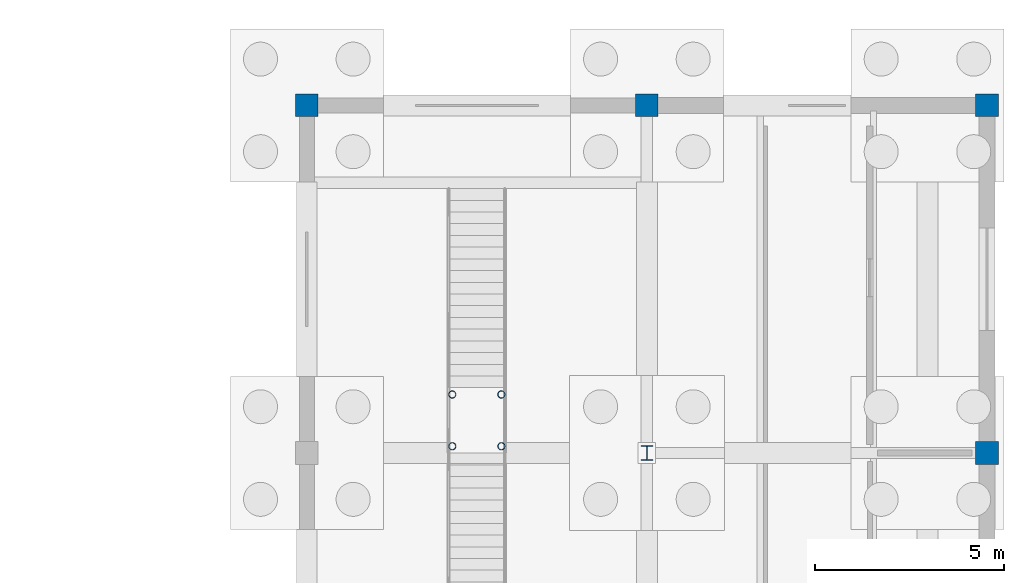
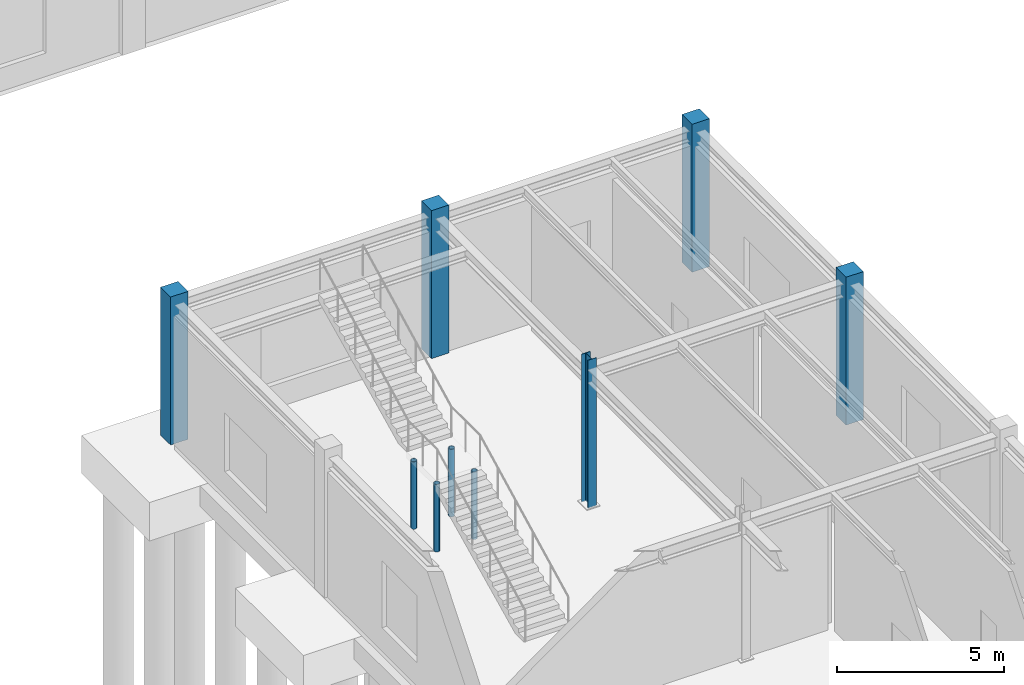
# One storey, part 25 of 76: 9 columns.
"""IFC4 building model written with IfcOpenShell, lengths in metres."""

import ifcopenshell
import ifcopenshell.guid

model = None  # the IFC model being written
_history = None  # IfcOwnerHistory: only IFC2X3 demands one
_inside = {}  # id of a spatial element -> (the spatial element, [elements in it])
_under = {}  # id of a project, library or spatial element -> (it, [spatial elements below it])
_declared = {}  # id of a project -> (the project, [libraries it declares])
_typed = {}  # id of a type object -> (the type object, [elements of that type])
_made_of = {}  # id of a material, layer set ... -> (it, [elements and type objects made of it])


def new_model(schema):
    """Start an empty IFC model of exactly this schema.

    Asked for "IFC4X3", IfcOpenShell would pick the latest addendum, in which some entities
    have other attributes; the version numbers below select the first issue.
    IFC2X3 requires an IfcOwnerHistory on every rooted entity: one is made here for all.
    """
    global model, _history
    if schema == "IFC4X3":
        model = ifcopenshell.file(schema_version=(4, 3, 0, 0))
    else:
        model = ifcopenshell.file(schema=schema)
    _inside.clear()
    _under.clear()
    _declared.clear()
    _typed.clear()
    _made_of.clear()
    _history = None
    if model.schema == "IFC2X3":
        org = make("IfcOrganization", Name="unknown")
        user = make(
            "IfcPersonAndOrganization",
            ThePerson=make("IfcPerson", FamilyName="unknown"),
            TheOrganization=org,
        )
        app = make(
            "IfcApplication",
            ApplicationDeveloper=org,
            Version="unknown",
            ApplicationFullName="unknown",
            ApplicationIdentifier="unknown",
        )
        _history = make(
            "IfcOwnerHistory",
            OwningUser=user,
            OwningApplication=app,
            ChangeAction="ADDED",
            CreationDate=0,
        )
    return model


def make(cls, **values):
    """One entity of the class cls with the attributes given. An attribute that is None is left unset."""
    return model.create_entity(
        cls, **{name: value for name, value in values.items() if value is not None}
    )


def rooted(cls, **values):
    """An entity with a GlobalId (a new one), such as an element, a storey or a relation."""
    return make(cls, GlobalId=ifcopenshell.guid.new(), OwnerHistory=_history, **values)


def si_unit(unit_type, name, prefix=None):
    """IfcSIUnit, for example si_unit("LENGTHUNIT", "METRE", prefix="MILLI")."""
    return make("IfcSIUnit", UnitType=unit_type, Prefix=prefix, Name=name)


def assignment(units):
    """IfcUnitAssignment: the units of a project."""
    return None if units is None else make("IfcUnitAssignment", Units=units)


def point(xyz):
    """IfcCartesianPoint."""
    return None if xyz is None else make("IfcCartesianPoint", Coordinates=xyz)


def direction(xyz):
    """IfcDirection."""
    return None if xyz is None else make("IfcDirection", DirectionRatios=xyz)


def frame(location, z_axis=None, x_axis=None):
    """IfcAxis2Placement3D, a coordinate frame: its origin and axes. An axis left out is left unset."""
    return make(
        "IfcAxis2Placement3D",
        Location=point(location),
        Axis=direction(z_axis),
        RefDirection=direction(x_axis),
    )


def frame_2d(location, x_axis=None):
    """IfcAxis2Placement2D, a coordinate frame in the plane: its origin and x axis."""
    return make(
        "IfcAxis2Placement2D", Location=point(location), RefDirection=direction(x_axis)
    )


def origin():
    """The frame at (0, 0, 0) with its axes left unset."""
    return frame((0.0, 0.0, 0.0))


def origin_2d():
    """The frame at (0, 0) in the plane with its x axis left unset."""
    return frame_2d((0.0, 0.0))


def place(relative_to, where):
    """IfcLocalPlacement: puts the frame where relative to a parent placement (None: the world)."""
    return make(
        "IfcLocalPlacement", PlacementRelTo=relative_to, RelativePlacement=where
    )


def context(
    kind, dimensions, precision=None, world=None, true_north=None, identifier=None
):
    """IfcGeometricRepresentationContext, for example the 3D "Model" context."""
    return make(
        "IfcGeometricRepresentationContext",
        ContextIdentifier=identifier,
        ContextType=kind,
        CoordinateSpaceDimension=dimensions,
        Precision=precision,
        WorldCoordinateSystem=world,
        TrueNorth=true_north,
    )


def subcontext(parent, identifier, kind, view, scale=None):
    """IfcGeometricRepresentationSubContext, for example "Body" below "Model"."""
    return make(
        "IfcGeometricRepresentationSubContext",
        ContextIdentifier=identifier,
        ContextType=kind,
        ParentContext=parent,
        TargetScale=scale,
        TargetView=view,
    )


def project(units=None, contexts=None):
    """IfcProject with its units and contexts."""
    return rooted(
        "IfcProject",
        Name="project",
        RepresentationContexts=contexts,
        UnitsInContext=assignment(units),
    )


def spatial(cls, under=None, at=None, **own):
    """A site, building, storey or space (cls), placed at a placement, below another one or the project."""
    s = rooted(cls, ObjectPlacement=at, **own)
    if under is not None:
        _under.setdefault(under.id(), (under, []))[1].append(s)
    return s


def profile(cls, at=None, kind="AREA", **sizes):
    """A parametric profile (cls). Its sizes go by their IFC names, for example OverallWidth=200.0."""
    return make(cls, ProfileType=kind, Position=at, **sizes)


def rectangle(**sizes):
    """IfcRectangleProfileDef."""
    return profile("IfcRectangleProfileDef", **sizes)


def hollow_circle(**sizes):
    """IfcCircleHollowProfileDef."""
    return profile("IfcCircleHollowProfileDef", **sizes)


def i_section(**sizes):
    """IfcIShapeProfileDef."""
    return profile("IfcIShapeProfileDef", **sizes)


def extrude(swept, where, along, depth):
    """IfcExtrudedAreaSolid: the profile swept, set in the frame where, extruded along a direction by depth."""
    return make(
        "IfcExtrudedAreaSolid",
        SweptArea=swept,
        Position=where,
        ExtrudedDirection=direction(along),
        Depth=depth,
    )


def shape(context_of_items, identifier, shape_type, items):
    """IfcShapeRepresentation: the items that make up one representation, for example the "Body"."""
    return make(
        "IfcShapeRepresentation",
        ContextOfItems=context_of_items,
        RepresentationIdentifier=identifier,
        RepresentationType=shape_type,
        Items=items,
    )


def material(Name=None, Category=None):
    """IfcMaterial."""
    return make("IfcMaterial", Name=Name, Category=Category)


def material_profile(
    of_material, cross_section, Name=None, Category=None, Priority=None
):
    """IfcMaterialProfile: a cross section and its material."""
    return make(
        "IfcMaterialProfile",
        Name=Name,
        Material=of_material,
        Profile=cross_section,
        Priority=Priority,
        Category=Category,
    )


def profile_set(profiles, Name=None, composite=None):
    """IfcMaterialProfileSet."""
    return make(
        "IfcMaterialProfileSet",
        Name=Name,
        MaterialProfiles=profiles,
        CompositeProfile=composite,
    )


def made_of(thing, what):
    """Note that an element or type object is made of a material, layer set ...; save() writes the relation."""
    if what is not None:
        _made_of.setdefault(what.id(), (what, []))[1].append(thing)
    return thing


def type_object(cls, material=None, **own):
    """A type object (cls), such as IfcWallType, which elements share."""
    return made_of(rooted(cls, **own), material)


def element(
    cls,
    number,
    at=None,
    inside=None,
    cuts=None,
    type_object=None,
    material=None,
    context=None,
    identifier="Body",
    shape_type=None,
    held_by="IfcProductDefinitionShape",
    body=None,
    shapes=None,
    **own,
):
    """One element of the class cls, such as IfcWall. Its Tag is "e" and its number.

    at: its placement. inside: the storey or other place that contains it. cuts: it is an
    opening in that element (IfcRelVoidsElement). A single representation is given by context,
    identifier, shape_type and body (its items); several are given by shapes. held_by: the class
    of the entity that holds the representations. save() writes the other relations.
    """
    e = rooted(cls, Tag="e%d" % number, ObjectPlacement=at, **own)
    if body is not None:
        shapes = [shape(context, identifier, shape_type, body)]
    if shapes is not None:
        e.Representation = make(held_by, Representations=shapes)
    if inside is not None:
        _inside.setdefault(inside.id(), (inside, []))[1].append(e)
    if cuts is not None:
        rooted(
            "IfcRelVoidsElement", RelatingBuildingElement=cuts, RelatedOpeningElement=e
        )
    if type_object is not None:
        _typed.setdefault(type_object.id(), (type_object, []))[1].append(e)
    return made_of(e, material)


def aggregate(whole, parts):
    """IfcRelAggregates: a whole, such as a stair, and the parts it consists of."""
    return rooted("IfcRelAggregates", RelatingObject=whole, RelatedObjects=parts)


def save(model, path):
    """Write the relations noted so far, then the file.

    IfcRelAggregates (storeys below a building ...), IfcRelContainedInSpatialStructure (elements
    in a storey), IfcRelDefinesByType, IfcRelAssociatesMaterial and IfcRelDeclares: one each for
    every whole, place, type object, material and project.
    """
    for whole, parts in _under.values():
        aggregate(whole, parts)
    for where, things in _inside.values():
        rooted(
            "IfcRelContainedInSpatialStructure",
            RelatedElements=things,
            RelatingStructure=where,
        )
    for kind, things in _typed.values():
        rooted("IfcRelDefinesByType", RelatedObjects=things, RelatingType=kind)
    for what, things in _made_of.values():
        rooted("IfcRelAssociatesMaterial", RelatedObjects=things, RelatingMaterial=what)
    for by, libraries in _declared.values():
        rooted("IfcRelDeclares", RelatingContext=by, RelatedDefinitions=libraries)
    model.write(path)


model = new_model("IFC4")

# Units and contexts
model_context = context("Model", 3, precision=1e-05, world=origin(), true_north=direction((0.0, 1.0)))
body_context = subcontext(model_context, "Body", "Model", "MODEL_VIEW")
ifc_project = project(units=[si_unit("LENGTHUNIT", "METRE"), si_unit("AREAUNIT", "SQUARE_METRE"), si_unit("VOLUMEUNIT", "CUBIC_METRE"), si_unit("PLANEANGLEUNIT", "RADIAN"), si_unit("MASSUNIT", "GRAM", prefix="KILO")], contexts=[model_context])

# Site, building, storey
site_placement = place(None, origin())
site = spatial("IfcSite", under=ifc_project, at=site_placement, CompositionType="ELEMENT")
building_placement = place(site_placement, origin())
building = spatial("IfcBuilding", under=site, at=building_placement, Name="Bozkorgan Art Gallery", CompositionType="ELEMENT")
storey_placement = place(building_placement, origin())
storey = spatial("IfcBuildingStorey", under=building, at=storey_placement, Name="L00", CompositionType="ELEMENT", Elevation=0.0)

# Columns
ifc_material_1 = material(Name="Steel S355J2", Category="steel")
ifc_material_profile_1 = material_profile(ifc_material_1, hollow_circle(Radius=0.096923828125, WallThickness=0.008056640625, at=origin_2d()), Name="CHS 193.7x8")
ifc_profile_set_1 = profile_set([ifc_material_profile_1], Name="Steel S355J2")
column_type_1 = type_object("IfcColumnType", Name="COL-FST-SUP", PredefinedType="COLUMN", material=ifc_profile_set_1)
for number, where, z_axis, x_axis, name in (
    (1, (149.85009765625, 38.580078125, 0.0), (0.0, 0.0, 1.0), (1.0, 0.0, 0.0), "ST11 intermediate landing post 1"),
    (2, (151.14990234375, 38.580078125, 0.0), (0.0, 0.0, 1.0), (1.0, 0.0, 0.0), "ST11 intermediate landing post 2"),
    (3, (149.85009765625, 39.949951171875, 0.0), (0.0, 0.0, 1.0), (1.0, 0.0, 0.0), "ST11 intermediate landing post 3"),
    (4, (151.14990234375, 39.949951171875, 0.0), (0.0, 0.0, 1.0), (1.0, 0.0, 0.0), "ST11 intermediate landing post 4"),
):
    element("IfcColumn", number, at=place(storey_placement, frame(where, z_axis=z_axis, x_axis=x_axis)), inside=storey, type_object=column_type_1, Name=name, PredefinedType="COLUMN", context=body_context, shape_type="SweptSolid", body=[
        extrude(hollow_circle(Radius=0.096923828125, WallThickness=0.008056640625, at=origin_2d()), origin(), (0.0, 0.0, 1.0), 2.4599609375),
    ])
ifc_material_profile_2 = material_profile(ifc_material_1, i_section(OverallWidth=0.300048828125, OverallDepth=0.389892578125, WebThickness=0.010986328125, FlangeThickness=0.01904296875, FilletRadius=0.027099609375, at=origin_2d()), Name="HEA 400")
ifc_profile_set_2 = profile_set([ifc_material_profile_2], Name="Steel S355J2")
column_type_2 = type_object("IfcColumnType", Name="COLUMN-C-03", PredefinedType="COLUMN", material=ifc_profile_set_2)
column_placement = place(storey_placement, frame((155.0, 38.39990234375, 0.0), z_axis=(0.0, 0.0, 1.0), x_axis=(1.0, 0.0, 0.0)))
element("IfcColumn", 5, at=column_placement, inside=storey, type_object=column_type_2, Name="V6 L00 column (155.0, 38.4)", PredefinedType="COLUMN", context=body_context, shape_type="SweptSolid", body=[
    extrude(i_section(OverallWidth=0.300048828125, OverallDepth=0.389892578125, WebThickness=0.010986328125, FlangeThickness=0.01904296875, FilletRadius=0.027099609375, at=origin_2d()), origin(), (0.0, 0.0, 1.0), 5.39990234375),
])
ifc_material_2 = material(Name="Concrete C40/50", Category="concrete")
ifc_material_profile_3 = material_profile(ifc_material_2, rectangle(XDim=0.60009765625, YDim=0.60009765625, at=origin_2d()), Name="RC 600x600")
ifc_profile_set_3 = profile_set([ifc_material_profile_3], Name="Concrete C40/50")
column_type_3 = type_object("IfcColumnType", Name="COLUMN-C-24", PredefinedType="COLUMN", material=ifc_profile_set_3)
for number, where, z_axis, x_axis, name in (
    (6, (146.0, 47.60009765625, 0.0), (0.0, 0.0, 1.0), (1.0, 0.0, 0.0), "V6 L00 column (146.0, 47.6)"),
    (7, (155.0, 47.60009765625, 0.0), (0.0, 0.0, 1.0), (1.0, 0.0, 0.0), "V6 L00 column (155.0, 47.6)"),
    (8, (164.0, 38.39990234375, 0.0), (0.0, 0.0, 1.0), (1.0, 0.0, 0.0), "V6 L00 column (164.0, 38.4)"),
    (9, (164.0, 47.60009765625, 0.0), (0.0, 0.0, 1.0), (1.0, 0.0, 0.0), "V6 L00 column (164.0, 47.6)"),
):
    element("IfcColumn", number, at=place(storey_placement, frame(where, z_axis=z_axis, x_axis=x_axis)), inside=storey, type_object=column_type_3, Name=name, PredefinedType="COLUMN", context=body_context, shape_type="SweptSolid", body=[
        extrude(rectangle(XDim=0.60009765625, YDim=0.60009765625, at=origin_2d()), origin(), (0.0, 0.0, 1.0), 5.39990234375),
    ])

save(model, "model.ifc")
